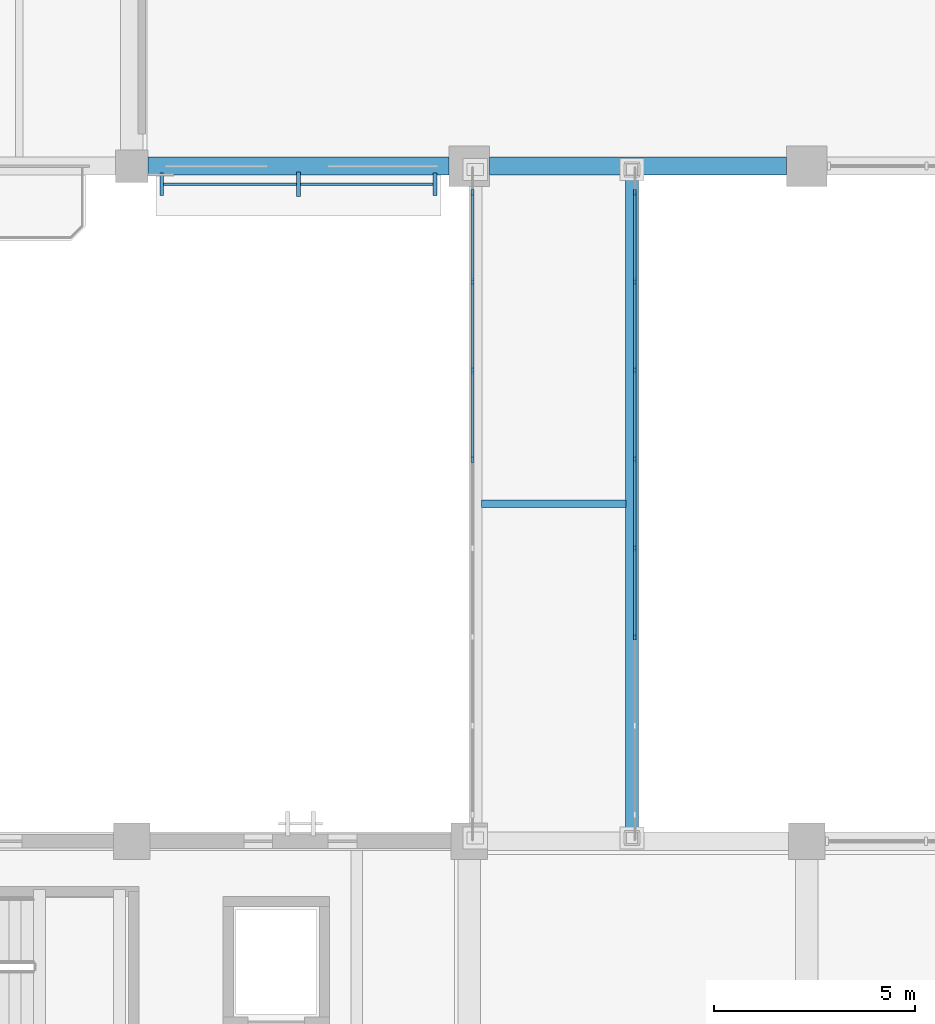
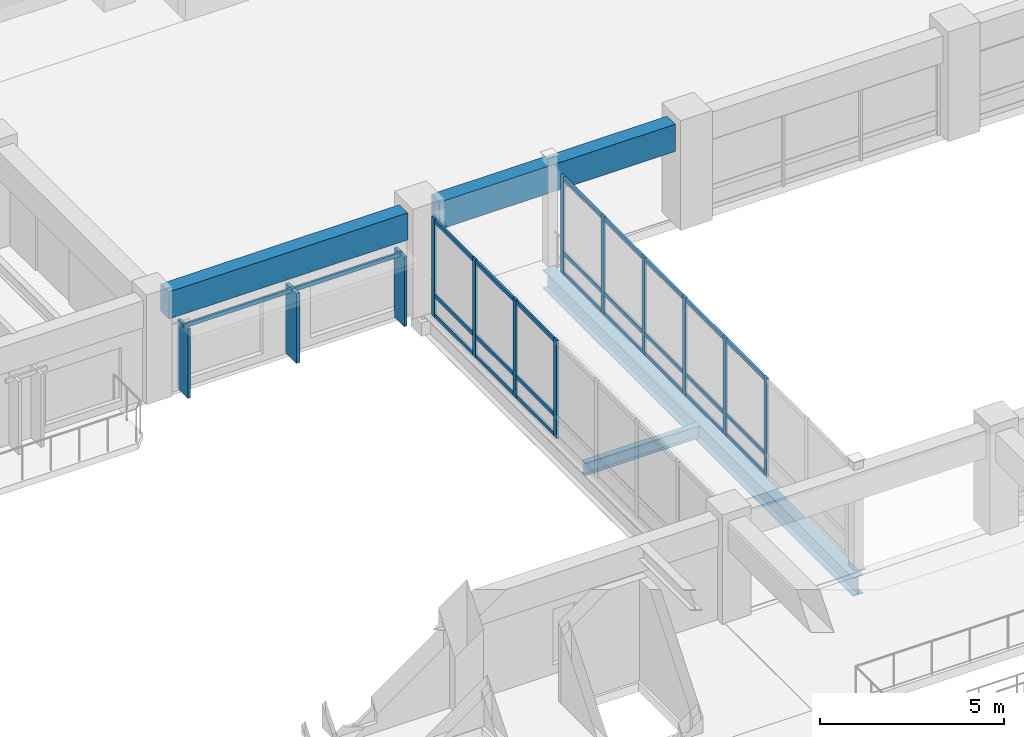
# One storey, part 28 of 118: 38 members, 4 beams, 3 elements without a shape of their own.
"""IFC4 building model written with IfcOpenShell, lengths in metres."""

import ifcopenshell
import ifcopenshell.guid

model = None  # the IFC model being written
_history = None  # IfcOwnerHistory: only IFC2X3 demands one
_inside = {}  # id of a spatial element -> (the spatial element, [elements in it])
_under = {}  # id of a project, library or spatial element -> (it, [spatial elements below it])
_declared = {}  # id of a project -> (the project, [libraries it declares])
_typed = {}  # id of a type object -> (the type object, [elements of that type])
_made_of = {}  # id of a material, layer set ... -> (it, [elements and type objects made of it])


def new_model(schema):
    """Start an empty IFC model of exactly this schema.

    Asked for "IFC4X3", IfcOpenShell would pick the latest addendum, in which some entities
    have other attributes; the version numbers below select the first issue.
    IFC2X3 requires an IfcOwnerHistory on every rooted entity: one is made here for all.
    """
    global model, _history
    if schema == "IFC4X3":
        model = ifcopenshell.file(schema_version=(4, 3, 0, 0))
    else:
        model = ifcopenshell.file(schema=schema)
    _inside.clear()
    _under.clear()
    _declared.clear()
    _typed.clear()
    _made_of.clear()
    _history = None
    if model.schema == "IFC2X3":
        org = make("IfcOrganization", Name="unknown")
        user = make(
            "IfcPersonAndOrganization",
            ThePerson=make("IfcPerson", FamilyName="unknown"),
            TheOrganization=org,
        )
        app = make(
            "IfcApplication",
            ApplicationDeveloper=org,
            Version="unknown",
            ApplicationFullName="unknown",
            ApplicationIdentifier="unknown",
        )
        _history = make(
            "IfcOwnerHistory",
            OwningUser=user,
            OwningApplication=app,
            ChangeAction="ADDED",
            CreationDate=0,
        )
    return model


def make(cls, **values):
    """One entity of the class cls with the attributes given. An attribute that is None is left unset."""
    return model.create_entity(
        cls, **{name: value for name, value in values.items() if value is not None}
    )


def rooted(cls, **values):
    """An entity with a GlobalId (a new one), such as an element, a storey or a relation."""
    return make(cls, GlobalId=ifcopenshell.guid.new(), OwnerHistory=_history, **values)


def si_unit(unit_type, name, prefix=None):
    """IfcSIUnit, for example si_unit("LENGTHUNIT", "METRE", prefix="MILLI")."""
    return make("IfcSIUnit", UnitType=unit_type, Prefix=prefix, Name=name)


def assignment(units):
    """IfcUnitAssignment: the units of a project."""
    return None if units is None else make("IfcUnitAssignment", Units=units)


def point(xyz):
    """IfcCartesianPoint."""
    return None if xyz is None else make("IfcCartesianPoint", Coordinates=xyz)


def direction(xyz):
    """IfcDirection."""
    return None if xyz is None else make("IfcDirection", DirectionRatios=xyz)


def frame(location, z_axis=None, x_axis=None):
    """IfcAxis2Placement3D, a coordinate frame: its origin and axes. An axis left out is left unset."""
    return make(
        "IfcAxis2Placement3D",
        Location=point(location),
        Axis=direction(z_axis),
        RefDirection=direction(x_axis),
    )


def frame_2d(location, x_axis=None):
    """IfcAxis2Placement2D, a coordinate frame in the plane: its origin and x axis."""
    return make(
        "IfcAxis2Placement2D", Location=point(location), RefDirection=direction(x_axis)
    )


def origin():
    """The frame at (0, 0, 0) with its axes left unset."""
    return frame((0.0, 0.0, 0.0))


def origin_2d():
    """The frame at (0, 0) in the plane with its x axis left unset."""
    return frame_2d((0.0, 0.0))


def place(relative_to, where):
    """IfcLocalPlacement: puts the frame where relative to a parent placement (None: the world)."""
    return make(
        "IfcLocalPlacement", PlacementRelTo=relative_to, RelativePlacement=where
    )


def context(
    kind, dimensions, precision=None, world=None, true_north=None, identifier=None
):
    """IfcGeometricRepresentationContext, for example the 3D "Model" context."""
    return make(
        "IfcGeometricRepresentationContext",
        ContextIdentifier=identifier,
        ContextType=kind,
        CoordinateSpaceDimension=dimensions,
        Precision=precision,
        WorldCoordinateSystem=world,
        TrueNorth=true_north,
    )


def subcontext(parent, identifier, kind, view, scale=None):
    """IfcGeometricRepresentationSubContext, for example "Body" below "Model"."""
    return make(
        "IfcGeometricRepresentationSubContext",
        ContextIdentifier=identifier,
        ContextType=kind,
        ParentContext=parent,
        TargetScale=scale,
        TargetView=view,
    )


def project(units=None, contexts=None):
    """IfcProject with its units and contexts."""
    return rooted(
        "IfcProject",
        Name="project",
        RepresentationContexts=contexts,
        UnitsInContext=assignment(units),
    )


def spatial(cls, under=None, at=None, **own):
    """A site, building, storey or space (cls), placed at a placement, below another one or the project."""
    s = rooted(cls, ObjectPlacement=at, **own)
    if under is not None:
        _under.setdefault(under.id(), (under, []))[1].append(s)
    return s


def profile(cls, at=None, kind="AREA", **sizes):
    """A parametric profile (cls). Its sizes go by their IFC names, for example OverallWidth=200.0."""
    return make(cls, ProfileType=kind, Position=at, **sizes)


def rectangle(**sizes):
    """IfcRectangleProfileDef."""
    return profile("IfcRectangleProfileDef", **sizes)


def i_section(**sizes):
    """IfcIShapeProfileDef."""
    return profile("IfcIShapeProfileDef", **sizes)


def extrude(swept, where, along, depth):
    """IfcExtrudedAreaSolid: the profile swept, set in the frame where, extruded along a direction by depth."""
    return make(
        "IfcExtrudedAreaSolid",
        SweptArea=swept,
        Position=where,
        ExtrudedDirection=direction(along),
        Depth=depth,
    )


def shape(context_of_items, identifier, shape_type, items):
    """IfcShapeRepresentation: the items that make up one representation, for example the "Body"."""
    return make(
        "IfcShapeRepresentation",
        ContextOfItems=context_of_items,
        RepresentationIdentifier=identifier,
        RepresentationType=shape_type,
        Items=items,
    )


def material(Name=None, Category=None):
    """IfcMaterial."""
    return make("IfcMaterial", Name=Name, Category=Category)


def material_profile(
    of_material, cross_section, Name=None, Category=None, Priority=None
):
    """IfcMaterialProfile: a cross section and its material."""
    return make(
        "IfcMaterialProfile",
        Name=Name,
        Material=of_material,
        Profile=cross_section,
        Priority=Priority,
        Category=Category,
    )


def profile_set(profiles, Name=None, composite=None):
    """IfcMaterialProfileSet."""
    return make(
        "IfcMaterialProfileSet",
        Name=Name,
        MaterialProfiles=profiles,
        CompositeProfile=composite,
    )


def made_of(thing, what):
    """Note that an element or type object is made of a material, layer set ...; save() writes the relation."""
    if what is not None:
        _made_of.setdefault(what.id(), (what, []))[1].append(thing)
    return thing


def type_object(cls, material=None, **own):
    """A type object (cls), such as IfcWallType, which elements share."""
    return made_of(rooted(cls, **own), material)


def element(
    cls,
    number,
    at=None,
    inside=None,
    cuts=None,
    type_object=None,
    material=None,
    context=None,
    identifier="Body",
    shape_type=None,
    held_by="IfcProductDefinitionShape",
    body=None,
    shapes=None,
    **own,
):
    """One element of the class cls, such as IfcWall. Its Tag is "e" and its number.

    at: its placement. inside: the storey or other place that contains it. cuts: it is an
    opening in that element (IfcRelVoidsElement). A single representation is given by context,
    identifier, shape_type and body (its items); several are given by shapes. held_by: the class
    of the entity that holds the representations. save() writes the other relations.
    """
    e = rooted(cls, Tag="e%d" % number, ObjectPlacement=at, **own)
    if body is not None:
        shapes = [shape(context, identifier, shape_type, body)]
    if shapes is not None:
        e.Representation = make(held_by, Representations=shapes)
    if inside is not None:
        _inside.setdefault(inside.id(), (inside, []))[1].append(e)
    if cuts is not None:
        rooted(
            "IfcRelVoidsElement", RelatingBuildingElement=cuts, RelatedOpeningElement=e
        )
    if type_object is not None:
        _typed.setdefault(type_object.id(), (type_object, []))[1].append(e)
    return made_of(e, material)


def aggregate(whole, parts):
    """IfcRelAggregates: a whole, such as a stair, and the parts it consists of."""
    return rooted("IfcRelAggregates", RelatingObject=whole, RelatedObjects=parts)


def save(model, path):
    """Write the relations noted so far, then the file.

    IfcRelAggregates (storeys below a building ...), IfcRelContainedInSpatialStructure (elements
    in a storey), IfcRelDefinesByType, IfcRelAssociatesMaterial and IfcRelDeclares: one each for
    every whole, place, type object, material and project.
    """
    for whole, parts in _under.values():
        aggregate(whole, parts)
    for where, things in _inside.values():
        rooted(
            "IfcRelContainedInSpatialStructure",
            RelatedElements=things,
            RelatingStructure=where,
        )
    for kind, things in _typed.values():
        rooted("IfcRelDefinesByType", RelatedObjects=things, RelatingType=kind)
    for what, things in _made_of.values():
        rooted("IfcRelAssociatesMaterial", RelatedObjects=things, RelatingMaterial=what)
    for by, libraries in _declared.values():
        rooted("IfcRelDeclares", RelatingContext=by, RelatedDefinitions=libraries)
    model.write(path)


model = new_model("IFC4")

# Units and contexts
model_context = context("Model", 3, precision=1e-05, world=origin(), true_north=direction((0.0, 1.0)))
body_context = subcontext(model_context, "Body", "Model", "MODEL_VIEW")
ifc_project = project(units=[si_unit("LENGTHUNIT", "METRE"), si_unit("AREAUNIT", "SQUARE_METRE"), si_unit("VOLUMEUNIT", "CUBIC_METRE"), si_unit("PLANEANGLEUNIT", "RADIAN"), si_unit("MASSUNIT", "GRAM", prefix="KILO")], contexts=[model_context])

# Site, building, storey
site_placement = place(None, origin())
site = spatial("IfcSite", under=ifc_project, at=site_placement, CompositionType="ELEMENT")
building_placement = place(site_placement, origin())
building = spatial("IfcBuilding", under=site, at=building_placement, Name="Cumbredor Promenade Congress Hotel", CompositionType="ELEMENT")
storey_placement = place(building_placement, frame((0.0, 0.0, 3.919921875)))
storey = spatial("IfcBuildingStorey", under=building, at=storey_placement, Name="L01", CompositionType="ELEMENT", Elevation=3.919921875)

# Beam
ifc_material_1 = material(Name="Steel ASTM A992 Grade 50", Category="steel")
ifc_material_profile_1 = material_profile(ifc_material_1, i_section(OverallWidth=0.323974609375, OverallDepth=0.611083984375, WebThickness=0.0126953125, FlangeThickness=0.01904296875, at=origin_2d()), Name="W24X104")
ifc_profile_set_1 = profile_set([ifc_material_profile_1], Name="Steel ASTM A992 Grade 50")
beam_type_1 = type_object("IfcBeamType", Name="BM-W24X104", PredefinedType="BEAM", material=ifc_profile_set_1)
beam_1_placement = place(storey_placement, frame((29.25, 67.159912109375, -0.525390625), z_axis=(0.0, 1.0, 0.0), x_axis=(-1.0, 0.0, 0.0)))
element("IfcBeam", 1, at=beam_1_placement, inside=storey, type_object=beam_type_1, Name="L01 West Congress-to-Hotel Glazed Bridge Edge Girder 2", PredefinedType="BEAM", context=body_context, shape_type="SweptSolid", body=[
    extrude(i_section(OverallWidth=0.323974609375, OverallDepth=0.611083984375, WebThickness=0.0126953125, FlangeThickness=0.01904296875, at=origin_2d()), origin(), (0.0, 0.0, 1.0), 16.880126953125),
])

# Curtain wall, members
ifc_material_2 = material(Name="Thermally broken anodized aluminium and low-E glass", Category="aluminium")
curtain_wall_type_1 = type_object("IfcCurtainWallType", Name="Unitised Bridge Glazing Screen CW-05", PredefinedType="NOTDEFINED", material=ifc_material_2)
curtain_wall_1_placement = place(storey_placement, origin())
curtain_wall_1 = element("IfcCurtainWall", 2, at=curtain_wall_1_placement, inside=storey, type_object=curtain_wall_type_1, Name="L01 West Congress-to-Hotel Glazed Bridge West Glazing Screen", PredefinedType="NOTDEFINED")
ifc_material_3 = material(Name="Thermally broken anodized aluminium", Category="aluminium")
ifc_material_profile_2 = material_profile(ifc_material_3, rectangle(XDim=0.06494140625, YDim=0.159912109375, at=origin_2d()), Name="ALU MULLION 65x160")
ifc_profile_set_2 = profile_set([ifc_material_profile_2], Name="Thermally broken anodized aluminium")
member_type_1 = type_object("IfcMemberType", Name="Curtain Wall Mullion ML-01", PredefinedType="MULLION", material=ifc_profile_set_2)
member_1_placement = place(storey_placement, frame((25.280029296875, 76.705810546875, -0.0078125), z_axis=(0.0, 0.0, 1.0), x_axis=(1.0, 0.0, 0.0)))
member_1 = element("IfcMember", 3, at=member_1_placement, type_object=member_type_1, Name="L01 West Congress-to-Hotel Glazed Bridge West Glazing Screen Mullion 5", PredefinedType="MULLION", context=body_context, shape_type="SweptSolid", body=[
    extrude(rectangle(XDim=0.06494140625, YDim=0.159912109375, at=origin_2d()), origin(), (0.0, 0.0, 1.0), 3.27587890625),
])
member_2_placement = place(storey_placement, frame((25.280029296875, 78.9169921875, -0.0078125), z_axis=(0.0, 0.0, 1.0), x_axis=(1.0, 0.0, 0.0)))
member_2 = element("IfcMember", 4, at=member_2_placement, type_object=member_type_1, Name="L01 West Congress-to-Hotel Glazed Bridge West Glazing Screen Mullion 6", PredefinedType="MULLION", context=body_context, shape_type="SweptSolid", body=[
    extrude(rectangle(XDim=0.06494140625, YDim=0.159912109375, at=origin_2d()), origin(), (0.0, 0.0, 1.0), 3.27587890625),
])
member_3_placement = place(storey_placement, frame((25.280029296875, 81.128662109375, -0.0078125), z_axis=(0.0, 0.0, 1.0), x_axis=(1.0, 0.0, 0.0)))
member_3 = element("IfcMember", 5, at=member_3_placement, type_object=member_type_1, Name="L01 West Congress-to-Hotel Glazed Bridge West Glazing Screen Mullion 7", PredefinedType="MULLION", context=body_context, shape_type="SweptSolid", body=[
    extrude(rectangle(XDim=0.06494140625, YDim=0.159912109375, at=origin_2d()), origin(), (0.0, 0.0, 1.0), 3.27587890625),
])
member_4_placement = place(storey_placement, frame((25.280029296875, 83.340087890625, -0.0078125), z_axis=(0.0, 0.0, 1.0), x_axis=(1.0, 0.0, 0.0)))
member_4 = element("IfcMember", 6, at=member_4_placement, type_object=member_type_1, Name="L01 West Congress-to-Hotel Glazed Bridge West Glazing Screen Mullion 8", PredefinedType="MULLION", context=body_context, shape_type="SweptSolid", body=[
    extrude(rectangle(XDim=0.06494140625, YDim=0.159912109375, at=origin_2d()), origin(), (0.0, 0.0, 1.0), 3.27587890625),
])

curtain_wall_2_placement = place(storey_placement, origin())
curtain_wall_2 = element("IfcCurtainWall", 7, at=curtain_wall_2_placement, inside=storey, type_object=curtain_wall_type_1, Name="L01 West Congress-to-Hotel Glazed Bridge East Glazing Screen", PredefinedType="NOTDEFINED")
member_5_placement = place(storey_placement, frame((29.320068359375, 72.282958984375, -0.0078125), z_axis=(0.0, 0.0, 1.0), x_axis=(1.0, 0.0, 0.0)))
member_5 = element("IfcMember", 8, at=member_5_placement, type_object=member_type_1, Name="L01 West Congress-to-Hotel Glazed Bridge East Glazing Screen Mullion 3", PredefinedType="MULLION", context=body_context, shape_type="SweptSolid", body=[
    extrude(rectangle(XDim=0.06494140625, YDim=0.159912109375, at=origin_2d()), origin(), (0.0, 0.0, 1.0), 3.27587890625),
])
member_6_placement = place(storey_placement, frame((29.320068359375, 74.494384765625, -0.0078125), z_axis=(0.0, 0.0, 1.0), x_axis=(1.0, 0.0, 0.0)))
member_6 = element("IfcMember", 9, at=member_6_placement, type_object=member_type_1, Name="L01 West Congress-to-Hotel Glazed Bridge East Glazing Screen Mullion 4", PredefinedType="MULLION", context=body_context, shape_type="SweptSolid", body=[
    extrude(rectangle(XDim=0.06494140625, YDim=0.159912109375, at=origin_2d()), origin(), (0.0, 0.0, 1.0), 3.27587890625),
])
member_7_placement = place(storey_placement, frame((29.320068359375, 76.705810546875, -0.0078125), z_axis=(0.0, 0.0, 1.0), x_axis=(1.0, 0.0, 0.0)))
member_7 = element("IfcMember", 10, at=member_7_placement, type_object=member_type_1, Name="L01 West Congress-to-Hotel Glazed Bridge East Glazing Screen Mullion 5", PredefinedType="MULLION", context=body_context, shape_type="SweptSolid", body=[
    extrude(rectangle(XDim=0.06494140625, YDim=0.159912109375, at=origin_2d()), origin(), (0.0, 0.0, 1.0), 3.27587890625),
])
member_8_placement = place(storey_placement, frame((29.320068359375, 78.9169921875, -0.0078125), z_axis=(0.0, 0.0, 1.0), x_axis=(1.0, 0.0, 0.0)))
member_8 = element("IfcMember", 11, at=member_8_placement, type_object=member_type_1, Name="L01 West Congress-to-Hotel Glazed Bridge East Glazing Screen Mullion 6", PredefinedType="MULLION", context=body_context, shape_type="SweptSolid", body=[
    extrude(rectangle(XDim=0.06494140625, YDim=0.159912109375, at=origin_2d()), origin(), (0.0, 0.0, 1.0), 3.27587890625),
])
member_9_placement = place(storey_placement, frame((29.320068359375, 81.128662109375, -0.0078125), z_axis=(0.0, 0.0, 1.0), x_axis=(1.0, 0.0, 0.0)))
member_9 = element("IfcMember", 12, at=member_9_placement, type_object=member_type_1, Name="L01 West Congress-to-Hotel Glazed Bridge East Glazing Screen Mullion 7", PredefinedType="MULLION", context=body_context, shape_type="SweptSolid", body=[
    extrude(rectangle(XDim=0.06494140625, YDim=0.159912109375, at=origin_2d()), origin(), (0.0, 0.0, 1.0), 3.27587890625),
])
member_10_placement = place(storey_placement, frame((29.320068359375, 83.340087890625, -0.0078125), z_axis=(0.0, 0.0, 1.0), x_axis=(1.0, 0.0, 0.0)))
member_10 = element("IfcMember", 13, at=member_10_placement, type_object=member_type_1, Name="L01 West Congress-to-Hotel Glazed Bridge East Glazing Screen Mullion 8", PredefinedType="MULLION", context=body_context, shape_type="SweptSolid", body=[
    extrude(rectangle(XDim=0.06494140625, YDim=0.159912109375, at=origin_2d()), origin(), (0.0, 0.0, 1.0), 3.27587890625),
])

# Curtain wall, member
curtain_wall_type_2 = type_object("IfcCurtainWallType", Name="Solar Brise-Soleil Screen Assembly CW-07", PredefinedType="NOTDEFINED", material=ifc_material_2)
curtain_wall_3_placement = place(storey_placement, origin())
curtain_wall_3 = element("IfcCurtainWall", 14, at=curtain_wall_3_placement, inside=storey, type_object=curtain_wall_type_2, Name="L01 Hospitality Brise-Soleil Screen 018", PredefinedType="NOTDEFINED")
ifc_material_profile_3 = material_profile(ifc_material_3, rectangle(XDim=0.06494140625, YDim=0.1298828125, at=origin_2d()), Name="ALU TRANSOM 65x130")
ifc_profile_set_3 = profile_set([ifc_material_profile_3], Name="Thermally broken anodized aluminium")
member_type_2 = type_object("IfcMemberType", Name="Curtain Wall Transom TR-01", PredefinedType="USERDEFINED", material=ifc_profile_set_3)
member_11_placement = place(storey_placement, frame((17.5009765625, 83.550048828125, 2.26513671875), z_axis=(1.0, 0.0, 0.0), x_axis=(0.0, 1.0, 0.0)))
member_11 = element("IfcMember", 15, at=member_11_placement, type_object=member_type_2, Name="L01 Brise-Soleil Screen Transom 018", ObjectType="TRANSOM", PredefinedType="USERDEFINED", context=body_context, shape_type="SweptSolid", body=[
    extrude(rectangle(XDim=0.06494140625, YDim=0.1298828125, at=origin_2d()), origin(), (0.0, 0.0, 1.0), 6.89794921875),
])

# Member
member_12_placement = place(storey_placement, frame((25.280029296875, 76.73828125, 0.06005859375), z_axis=(0.0, 1.0, 0.0), x_axis=(-1.0, 0.0, 0.0)))
member_12 = element("IfcMember", 16, at=member_12_placement, type_object=member_type_2, Name="L01 West Congress-to-Hotel Glazed Bridge West Glazing Screen Transom 5.1", ObjectType="TRANSOM", PredefinedType="USERDEFINED", context=body_context, shape_type="SweptSolid", body=[
    extrude(rectangle(XDim=0.06494140625, YDim=0.1298828125, at=origin_2d()), origin(), (0.0, 0.0, 1.0), 2.146240234375),
])

member_13_placement = place(storey_placement, frame((25.280029296875, 76.73828125, 0.719970703125), z_axis=(0.0, 1.0, 0.0), x_axis=(-1.0, 0.0, 0.0)))
member_13 = element("IfcMember", 17, at=member_13_placement, type_object=member_type_2, Name="L01 West Congress-to-Hotel Glazed Bridge West Glazing Screen Transom 5.2", ObjectType="TRANSOM", PredefinedType="USERDEFINED", context=body_context, shape_type="SweptSolid", body=[
    extrude(rectangle(XDim=0.06494140625, YDim=0.1298828125, at=origin_2d()), origin(), (0.0, 0.0, 1.0), 2.146240234375),
])

member_14_placement = place(storey_placement, frame((25.280029296875, 76.73828125, 3.190185546875), z_axis=(0.0, 1.0, 0.0), x_axis=(-1.0, 0.0, 0.0)))
member_14 = element("IfcMember", 18, at=member_14_placement, type_object=member_type_2, Name="L01 West Congress-to-Hotel Glazed Bridge West Glazing Screen Transom 5.3", ObjectType="TRANSOM", PredefinedType="USERDEFINED", context=body_context, shape_type="SweptSolid", body=[
    extrude(rectangle(XDim=0.06494140625, YDim=0.1298828125, at=origin_2d()), origin(), (0.0, 0.0, 1.0), 2.146240234375),
])

member_15_placement = place(storey_placement, frame((25.280029296875, 78.94970703125, 0.06005859375), z_axis=(0.0, 1.0, 0.0), x_axis=(-1.0, 0.0, 0.0)))
member_15 = element("IfcMember", 19, at=member_15_placement, type_object=member_type_2, Name="L01 West Congress-to-Hotel Glazed Bridge West Glazing Screen Transom 6.1", ObjectType="TRANSOM", PredefinedType="USERDEFINED", context=body_context, shape_type="SweptSolid", body=[
    extrude(rectangle(XDim=0.06494140625, YDim=0.1298828125, at=origin_2d()), origin(), (0.0, 0.0, 1.0), 2.146484375),
])

member_16_placement = place(storey_placement, frame((25.280029296875, 78.94970703125, 0.719970703125), z_axis=(0.0, 1.0, 0.0), x_axis=(-1.0, 0.0, 0.0)))
member_16 = element("IfcMember", 20, at=member_16_placement, type_object=member_type_2, Name="L01 West Congress-to-Hotel Glazed Bridge West Glazing Screen Transom 6.2", ObjectType="TRANSOM", PredefinedType="USERDEFINED", context=body_context, shape_type="SweptSolid", body=[
    extrude(rectangle(XDim=0.06494140625, YDim=0.1298828125, at=origin_2d()), origin(), (0.0, 0.0, 1.0), 2.146484375),
])

member_17_placement = place(storey_placement, frame((25.280029296875, 78.94970703125, 3.190185546875), z_axis=(0.0, 1.0, 0.0), x_axis=(-1.0, 0.0, 0.0)))
member_17 = element("IfcMember", 21, at=member_17_placement, type_object=member_type_2, Name="L01 West Congress-to-Hotel Glazed Bridge West Glazing Screen Transom 6.3", ObjectType="TRANSOM", PredefinedType="USERDEFINED", context=body_context, shape_type="SweptSolid", body=[
    extrude(rectangle(XDim=0.06494140625, YDim=0.1298828125, at=origin_2d()), origin(), (0.0, 0.0, 1.0), 2.146484375),
])

member_18_placement = place(storey_placement, frame((25.280029296875, 81.1611328125, 0.06005859375), z_axis=(0.0, 1.0, 0.0), x_axis=(-1.0, 0.0, 0.0)))
member_18 = element("IfcMember", 22, at=member_18_placement, type_object=member_type_2, Name="L01 West Congress-to-Hotel Glazed Bridge West Glazing Screen Transom 7.1", ObjectType="TRANSOM", PredefinedType="USERDEFINED", context=body_context, shape_type="SweptSolid", body=[
    extrude(rectangle(XDim=0.06494140625, YDim=0.1298828125, at=origin_2d()), origin(), (0.0, 0.0, 1.0), 2.146484375),
])

member_19_placement = place(storey_placement, frame((25.280029296875, 81.1611328125, 0.719970703125), z_axis=(0.0, 1.0, 0.0), x_axis=(-1.0, 0.0, 0.0)))
member_19 = element("IfcMember", 23, at=member_19_placement, type_object=member_type_2, Name="L01 West Congress-to-Hotel Glazed Bridge West Glazing Screen Transom 7.2", ObjectType="TRANSOM", PredefinedType="USERDEFINED", context=body_context, shape_type="SweptSolid", body=[
    extrude(rectangle(XDim=0.06494140625, YDim=0.1298828125, at=origin_2d()), origin(), (0.0, 0.0, 1.0), 2.146484375),
])

member_20_placement = place(storey_placement, frame((25.280029296875, 81.1611328125, 3.190185546875), z_axis=(0.0, 1.0, 0.0), x_axis=(-1.0, 0.0, 0.0)))
member_20 = element("IfcMember", 24, at=member_20_placement, type_object=member_type_2, Name="L01 West Congress-to-Hotel Glazed Bridge West Glazing Screen Transom 7.3", ObjectType="TRANSOM", PredefinedType="USERDEFINED", context=body_context, shape_type="SweptSolid", body=[
    extrude(rectangle(XDim=0.06494140625, YDim=0.1298828125, at=origin_2d()), origin(), (0.0, 0.0, 1.0), 2.146484375),
])

aggregate(curtain_wall_1, [member_1, member_2, member_3, member_4, member_12, member_13, member_14, member_15, member_16, member_17, member_18, member_19, member_20])

member_21_placement = place(storey_placement, frame((29.320068359375, 72.3154296875, 0.06005859375), z_axis=(0.0, 1.0, 0.0), x_axis=(-1.0, 0.0, 0.0)))
member_21 = element("IfcMember", 25, at=member_21_placement, type_object=member_type_2, Name="L01 West Congress-to-Hotel Glazed Bridge East Glazing Screen Transom 3.1", ObjectType="TRANSOM", PredefinedType="USERDEFINED", context=body_context, shape_type="SweptSolid", body=[
    extrude(rectangle(XDim=0.06494140625, YDim=0.1298828125, at=origin_2d()), origin(), (0.0, 0.0, 1.0), 2.146484375),
])

member_22_placement = place(storey_placement, frame((29.320068359375, 72.3154296875, 0.719970703125), z_axis=(0.0, 1.0, 0.0), x_axis=(-1.0, 0.0, 0.0)))
member_22 = element("IfcMember", 26, at=member_22_placement, type_object=member_type_2, Name="L01 West Congress-to-Hotel Glazed Bridge East Glazing Screen Transom 3.2", ObjectType="TRANSOM", PredefinedType="USERDEFINED", context=body_context, shape_type="SweptSolid", body=[
    extrude(rectangle(XDim=0.06494140625, YDim=0.1298828125, at=origin_2d()), origin(), (0.0, 0.0, 1.0), 2.146484375),
])

member_23_placement = place(storey_placement, frame((29.320068359375, 72.3154296875, 3.190185546875), z_axis=(0.0, 1.0, 0.0), x_axis=(-1.0, 0.0, 0.0)))
member_23 = element("IfcMember", 27, at=member_23_placement, type_object=member_type_2, Name="L01 West Congress-to-Hotel Glazed Bridge East Glazing Screen Transom 3.3", ObjectType="TRANSOM", PredefinedType="USERDEFINED", context=body_context, shape_type="SweptSolid", body=[
    extrude(rectangle(XDim=0.06494140625, YDim=0.1298828125, at=origin_2d()), origin(), (0.0, 0.0, 1.0), 2.146484375),
])

member_24_placement = place(storey_placement, frame((29.320068359375, 74.52685546875, 0.06005859375), z_axis=(0.0, 1.0, 0.0), x_axis=(-1.0, 0.0, 0.0)))
member_24 = element("IfcMember", 28, at=member_24_placement, type_object=member_type_2, Name="L01 West Congress-to-Hotel Glazed Bridge East Glazing Screen Transom 4.1", ObjectType="TRANSOM", PredefinedType="USERDEFINED", context=body_context, shape_type="SweptSolid", body=[
    extrude(rectangle(XDim=0.06494140625, YDim=0.1298828125, at=origin_2d()), origin(), (0.0, 0.0, 1.0), 2.146240234375),
])

member_25_placement = place(storey_placement, frame((29.320068359375, 74.52685546875, 0.719970703125), z_axis=(0.0, 1.0, 0.0), x_axis=(-1.0, 0.0, 0.0)))
member_25 = element("IfcMember", 29, at=member_25_placement, type_object=member_type_2, Name="L01 West Congress-to-Hotel Glazed Bridge East Glazing Screen Transom 4.2", ObjectType="TRANSOM", PredefinedType="USERDEFINED", context=body_context, shape_type="SweptSolid", body=[
    extrude(rectangle(XDim=0.06494140625, YDim=0.1298828125, at=origin_2d()), origin(), (0.0, 0.0, 1.0), 2.146240234375),
])

member_26_placement = place(storey_placement, frame((29.320068359375, 74.52685546875, 3.190185546875), z_axis=(0.0, 1.0, 0.0), x_axis=(-1.0, 0.0, 0.0)))
member_26 = element("IfcMember", 30, at=member_26_placement, type_object=member_type_2, Name="L01 West Congress-to-Hotel Glazed Bridge East Glazing Screen Transom 4.3", ObjectType="TRANSOM", PredefinedType="USERDEFINED", context=body_context, shape_type="SweptSolid", body=[
    extrude(rectangle(XDim=0.06494140625, YDim=0.1298828125, at=origin_2d()), origin(), (0.0, 0.0, 1.0), 2.146240234375),
])

member_27_placement = place(storey_placement, frame((29.320068359375, 76.73828125, 0.06005859375), z_axis=(0.0, 1.0, 0.0), x_axis=(-1.0, 0.0, 0.0)))
member_27 = element("IfcMember", 31, at=member_27_placement, type_object=member_type_2, Name="L01 West Congress-to-Hotel Glazed Bridge East Glazing Screen Transom 5.1", ObjectType="TRANSOM", PredefinedType="USERDEFINED", context=body_context, shape_type="SweptSolid", body=[
    extrude(rectangle(XDim=0.06494140625, YDim=0.1298828125, at=origin_2d()), origin(), (0.0, 0.0, 1.0), 2.146240234375),
])

member_28_placement = place(storey_placement, frame((29.320068359375, 76.73828125, 0.719970703125), z_axis=(0.0, 1.0, 0.0), x_axis=(-1.0, 0.0, 0.0)))
member_28 = element("IfcMember", 32, at=member_28_placement, type_object=member_type_2, Name="L01 West Congress-to-Hotel Glazed Bridge East Glazing Screen Transom 5.2", ObjectType="TRANSOM", PredefinedType="USERDEFINED", context=body_context, shape_type="SweptSolid", body=[
    extrude(rectangle(XDim=0.06494140625, YDim=0.1298828125, at=origin_2d()), origin(), (0.0, 0.0, 1.0), 2.146240234375),
])

member_29_placement = place(storey_placement, frame((29.320068359375, 76.73828125, 3.190185546875), z_axis=(0.0, 1.0, 0.0), x_axis=(-1.0, 0.0, 0.0)))
member_29 = element("IfcMember", 33, at=member_29_placement, type_object=member_type_2, Name="L01 West Congress-to-Hotel Glazed Bridge East Glazing Screen Transom 5.3", ObjectType="TRANSOM", PredefinedType="USERDEFINED", context=body_context, shape_type="SweptSolid", body=[
    extrude(rectangle(XDim=0.06494140625, YDim=0.1298828125, at=origin_2d()), origin(), (0.0, 0.0, 1.0), 2.146240234375),
])

member_30_placement = place(storey_placement, frame((29.320068359375, 78.94970703125, 0.06005859375), z_axis=(0.0, 1.0, 0.0), x_axis=(-1.0, 0.0, 0.0)))
member_30 = element("IfcMember", 34, at=member_30_placement, type_object=member_type_2, Name="L01 West Congress-to-Hotel Glazed Bridge East Glazing Screen Transom 6.1", ObjectType="TRANSOM", PredefinedType="USERDEFINED", context=body_context, shape_type="SweptSolid", body=[
    extrude(rectangle(XDim=0.06494140625, YDim=0.1298828125, at=origin_2d()), origin(), (0.0, 0.0, 1.0), 2.146484375),
])

member_31_placement = place(storey_placement, frame((29.320068359375, 78.94970703125, 0.719970703125), z_axis=(0.0, 1.0, 0.0), x_axis=(-1.0, 0.0, 0.0)))
member_31 = element("IfcMember", 35, at=member_31_placement, type_object=member_type_2, Name="L01 West Congress-to-Hotel Glazed Bridge East Glazing Screen Transom 6.2", ObjectType="TRANSOM", PredefinedType="USERDEFINED", context=body_context, shape_type="SweptSolid", body=[
    extrude(rectangle(XDim=0.06494140625, YDim=0.1298828125, at=origin_2d()), origin(), (0.0, 0.0, 1.0), 2.146484375),
])

member_32_placement = place(storey_placement, frame((29.320068359375, 78.94970703125, 3.190185546875), z_axis=(0.0, 1.0, 0.0), x_axis=(-1.0, 0.0, 0.0)))
member_32 = element("IfcMember", 36, at=member_32_placement, type_object=member_type_2, Name="L01 West Congress-to-Hotel Glazed Bridge East Glazing Screen Transom 6.3", ObjectType="TRANSOM", PredefinedType="USERDEFINED", context=body_context, shape_type="SweptSolid", body=[
    extrude(rectangle(XDim=0.06494140625, YDim=0.1298828125, at=origin_2d()), origin(), (0.0, 0.0, 1.0), 2.146484375),
])

member_33_placement = place(storey_placement, frame((29.320068359375, 81.1611328125, 0.06005859375), z_axis=(0.0, 1.0, 0.0), x_axis=(-1.0, 0.0, 0.0)))
member_33 = element("IfcMember", 37, at=member_33_placement, type_object=member_type_2, Name="L01 West Congress-to-Hotel Glazed Bridge East Glazing Screen Transom 7.1", ObjectType="TRANSOM", PredefinedType="USERDEFINED", context=body_context, shape_type="SweptSolid", body=[
    extrude(rectangle(XDim=0.06494140625, YDim=0.1298828125, at=origin_2d()), origin(), (0.0, 0.0, 1.0), 2.146484375),
])

member_34_placement = place(storey_placement, frame((29.320068359375, 81.1611328125, 0.719970703125), z_axis=(0.0, 1.0, 0.0), x_axis=(-1.0, 0.0, 0.0)))
member_34 = element("IfcMember", 38, at=member_34_placement, type_object=member_type_2, Name="L01 West Congress-to-Hotel Glazed Bridge East Glazing Screen Transom 7.2", ObjectType="TRANSOM", PredefinedType="USERDEFINED", context=body_context, shape_type="SweptSolid", body=[
    extrude(rectangle(XDim=0.06494140625, YDim=0.1298828125, at=origin_2d()), origin(), (0.0, 0.0, 1.0), 2.146484375),
])

member_35_placement = place(storey_placement, frame((29.320068359375, 81.1611328125, 3.190185546875), z_axis=(0.0, 1.0, 0.0), x_axis=(-1.0, 0.0, 0.0)))
member_35 = element("IfcMember", 39, at=member_35_placement, type_object=member_type_2, Name="L01 West Congress-to-Hotel Glazed Bridge East Glazing Screen Transom 7.3", ObjectType="TRANSOM", PredefinedType="USERDEFINED", context=body_context, shape_type="SweptSolid", body=[
    extrude(rectangle(XDim=0.06494140625, YDim=0.1298828125, at=origin_2d()), origin(), (0.0, 0.0, 1.0), 2.146484375),
])

aggregate(curtain_wall_2, [member_5, member_6, member_7, member_8, member_9, member_10, member_21, member_22, member_23, member_24, member_25, member_26, member_27, member_28, member_29, member_30, member_31, member_32, member_33, member_34, member_35])

# Beams
ifc_material_profile_4 = material_profile(ifc_material_1, i_section(OverallWidth=0.180908203125, OverallDepth=0.4169921875, WebThickness=0.010986328125, FlangeThickness=0.018310546875, at=origin_2d()), Name="W16X57")
ifc_profile_set_4 = profile_set([ifc_material_profile_4], Name="Steel ASTM A992 Grade 50")
beam_type_2 = type_object("IfcBeamType", Name="JST-W16X57", PredefinedType="JOIST", material=ifc_profile_set_4)
beam_2_placement = place(storey_placement, frame((25.5, 75.60009765625, -0.428466796875), z_axis=(1.0, 0.0, 0.0), x_axis=(0.0, 1.0, 0.0)))
element("IfcBeam", 40, at=beam_2_placement, inside=storey, type_object=beam_type_2, Name="L01 West Congress-to-Hotel Glazed Bridge Cross Beam", PredefinedType="JOIST", context=body_context, shape_type="SweptSolid", body=[
    extrude(i_section(OverallWidth=0.180908203125, OverallDepth=0.4169921875, WebThickness=0.010986328125, FlangeThickness=0.018310546875, at=origin_2d()), origin(), (0.0, 0.0, 1.0), 3.60009765625),
])
ifc_material_4 = material(Name="Concrete C40/50", Category="concrete")
ifc_material_profile_5 = material_profile(ifc_material_4, rectangle(XDim=0.449951171875, YDim=0.89990234375, at=origin_2d()), Name="RC SPANDREL 450x900")
ifc_profile_set_5 = profile_set([ifc_material_profile_5], Name="Concrete C40/50")
beam_type_3 = type_object("IfcBeamType", Name="SP-RC-450x900", PredefinedType="SPANDREL", material=ifc_profile_set_5)
beam_3_placement = place(storey_placement, frame((17.199951171875, 84.0, 2.91015625), z_axis=(1.0, 0.0, 0.0), x_axis=(0.0, 1.0, 0.0)))
element("IfcBeam", 41, at=beam_3_placement, inside=storey, type_object=beam_type_3, Name="L02 X-Grid Beam 043", PredefinedType="SPANDREL", context=body_context, shape_type="SweptSolid", body=[
    extrude(rectangle(XDim=0.449951171875, YDim=0.89990234375, at=origin_2d()), origin(), (0.0, 0.0, 1.0), 7.5),
])
beam_4_placement = place(storey_placement, frame((25.699951171875, 84.0, 2.91015625), z_axis=(1.0, 0.0, 0.0), x_axis=(0.0, 1.0, 0.0)))
element("IfcBeam", 42, at=beam_4_placement, inside=storey, type_object=beam_type_3, Name="L02 X-Grid Beam 054", PredefinedType="SPANDREL", context=body_context, shape_type="SweptSolid", body=[
    extrude(rectangle(XDim=0.449951171875, YDim=0.89990234375, at=origin_2d()), origin(), (0.0, 0.0, 1.0), 7.400146484375),
])

# Member
ifc_material_profile_6 = material_profile(ifc_material_3, rectangle(XDim=0.110107421875, YDim=0.6201171875, at=origin_2d()), Name="ARCH FIN 110x620")
ifc_profile_set_6 = profile_set([ifc_material_profile_6], Name="Thermally broken anodized aluminium")
member_type_3 = type_object("IfcMemberType", Name="Vertical Bronze Brise-Soleil Fin BSF-02 110x620", PredefinedType="USERDEFINED", material=ifc_profile_set_6)
member_36_placement = place(storey_placement, frame((20.949951171875, 83.550048828125, 0.02001953125), z_axis=(0.0, 0.0, 1.0), x_axis=(1.0, 0.0, 0.0)))
member_36 = element("IfcMember", 43, at=member_36_placement, type_object=member_type_3, Name="L01 Vertical Brise-Soleil Fin 0290", ObjectType="SOLAR FIN", PredefinedType="USERDEFINED", context=body_context, shape_type="SweptSolid", body=[
    extrude(rectangle(XDim=0.110107421875, YDim=0.6201171875, at=origin_2d()), origin(), (0.0, 0.0, 1.0), 2.30517578125),
])

ifc_material_5 = material(Name="Kiln-dried tropical hardwood", Category="wood")
ifc_material_profile_7 = material_profile(ifc_material_5, rectangle(XDim=0.090087890625, YDim=0.550048828125, at=origin_2d()), Name="ARCH FIN 90x550")
ifc_profile_set_7 = profile_set([ifc_material_profile_7], Name="Kiln-dried tropical hardwood")
member_type_4 = type_object("IfcMemberType", Name="Vertical Hardwood Brise-Soleil Fin BSF-01 90x550", PredefinedType="USERDEFINED", material=ifc_profile_set_7)
member_37_placement = place(storey_placement, frame((17.551025390625, 83.550048828125, 0.02001953125), z_axis=(0.0, 0.0, 1.0), x_axis=(1.0, 0.0, 0.0)))
member_37 = element("IfcMember", 44, at=member_37_placement, type_object=member_type_4, Name="L01 Vertical Brise-Soleil Fin 0289", ObjectType="SOLAR FIN", PredefinedType="USERDEFINED", context=body_context, shape_type="SweptSolid", body=[
    extrude(rectangle(XDim=0.090087890625, YDim=0.550048828125, at=origin_2d()), origin(), (0.0, 0.0, 1.0), 2.30517578125),
])

member_38_placement = place(storey_placement, frame((24.34912109375, 83.550048828125, 0.02001953125), z_axis=(0.0, 0.0, 1.0), x_axis=(1.0, 0.0, 0.0)))
member_38 = element("IfcMember", 45, at=member_38_placement, type_object=member_type_4, Name="L01 Vertical Brise-Soleil Fin 0291", ObjectType="SOLAR FIN", PredefinedType="USERDEFINED", context=body_context, shape_type="SweptSolid", body=[
    extrude(rectangle(XDim=0.090087890625, YDim=0.550048828125, at=origin_2d()), origin(), (0.0, 0.0, 1.0), 2.30517578125),
])

aggregate(curtain_wall_3, [member_11, member_37, member_36, member_38])

save(model, "model.ifc")
